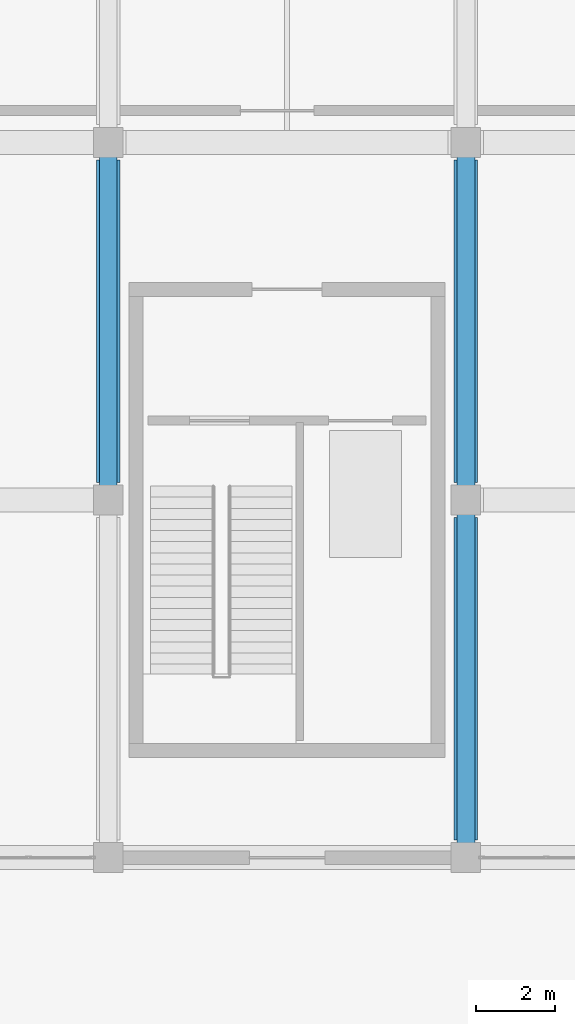
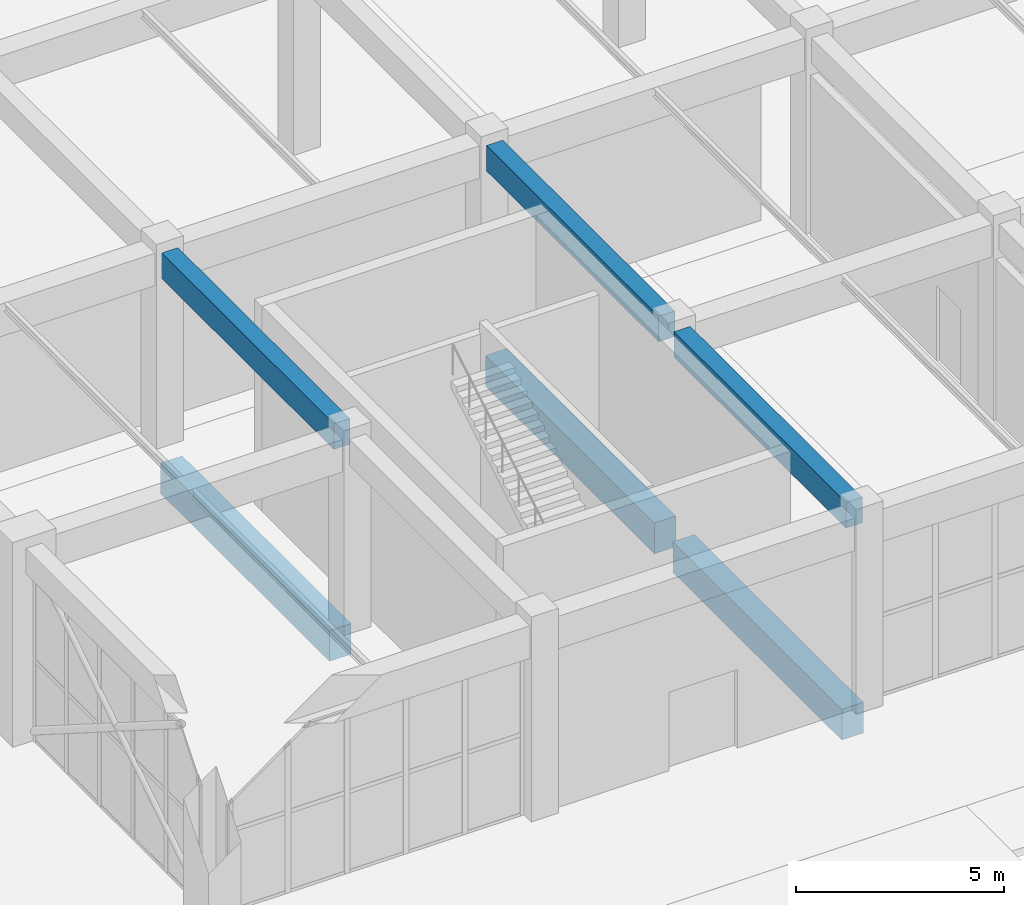
# One storey, part 34 of 91: 6 beams.
"""IFC4 building model written with IfcOpenShell, lengths in metres."""

import ifcopenshell
import ifcopenshell.guid

model = None  # the IFC model being written
_history = None  # IfcOwnerHistory: only IFC2X3 demands one
_inside = {}  # id of a spatial element -> (the spatial element, [elements in it])
_under = {}  # id of a project, library or spatial element -> (it, [spatial elements below it])
_declared = {}  # id of a project -> (the project, [libraries it declares])
_typed = {}  # id of a type object -> (the type object, [elements of that type])
_made_of = {}  # id of a material, layer set ... -> (it, [elements and type objects made of it])


def new_model(schema):
    """Start an empty IFC model of exactly this schema.

    Asked for "IFC4X3", IfcOpenShell would pick the latest addendum, in which some entities
    have other attributes; the version numbers below select the first issue.
    IFC2X3 requires an IfcOwnerHistory on every rooted entity: one is made here for all.
    """
    global model, _history
    if schema == "IFC4X3":
        model = ifcopenshell.file(schema_version=(4, 3, 0, 0))
    else:
        model = ifcopenshell.file(schema=schema)
    _inside.clear()
    _under.clear()
    _declared.clear()
    _typed.clear()
    _made_of.clear()
    _history = None
    if model.schema == "IFC2X3":
        org = make("IfcOrganization", Name="unknown")
        user = make(
            "IfcPersonAndOrganization",
            ThePerson=make("IfcPerson", FamilyName="unknown"),
            TheOrganization=org,
        )
        app = make(
            "IfcApplication",
            ApplicationDeveloper=org,
            Version="unknown",
            ApplicationFullName="unknown",
            ApplicationIdentifier="unknown",
        )
        _history = make(
            "IfcOwnerHistory",
            OwningUser=user,
            OwningApplication=app,
            ChangeAction="ADDED",
            CreationDate=0,
        )
    return model


def make(cls, **values):
    """One entity of the class cls with the attributes given. An attribute that is None is left unset."""
    return model.create_entity(
        cls, **{name: value for name, value in values.items() if value is not None}
    )


def rooted(cls, **values):
    """An entity with a GlobalId (a new one), such as an element, a storey or a relation."""
    return make(cls, GlobalId=ifcopenshell.guid.new(), OwnerHistory=_history, **values)


def si_unit(unit_type, name, prefix=None):
    """IfcSIUnit, for example si_unit("LENGTHUNIT", "METRE", prefix="MILLI")."""
    return make("IfcSIUnit", UnitType=unit_type, Prefix=prefix, Name=name)


def assignment(units):
    """IfcUnitAssignment: the units of a project."""
    return None if units is None else make("IfcUnitAssignment", Units=units)


def point(xyz):
    """IfcCartesianPoint."""
    return None if xyz is None else make("IfcCartesianPoint", Coordinates=xyz)


def direction(xyz):
    """IfcDirection."""
    return None if xyz is None else make("IfcDirection", DirectionRatios=xyz)


def frame(location, z_axis=None, x_axis=None):
    """IfcAxis2Placement3D, a coordinate frame: its origin and axes. An axis left out is left unset."""
    return make(
        "IfcAxis2Placement3D",
        Location=point(location),
        Axis=direction(z_axis),
        RefDirection=direction(x_axis),
    )


def frame_2d(location, x_axis=None):
    """IfcAxis2Placement2D, a coordinate frame in the plane: its origin and x axis."""
    return make(
        "IfcAxis2Placement2D", Location=point(location), RefDirection=direction(x_axis)
    )


def origin():
    """The frame at (0, 0, 0) with its axes left unset."""
    return frame((0.0, 0.0, 0.0))


def origin_2d():
    """The frame at (0, 0) in the plane with its x axis left unset."""
    return frame_2d((0.0, 0.0))


def place(relative_to, where):
    """IfcLocalPlacement: puts the frame where relative to a parent placement (None: the world)."""
    return make(
        "IfcLocalPlacement", PlacementRelTo=relative_to, RelativePlacement=where
    )


def context(
    kind, dimensions, precision=None, world=None, true_north=None, identifier=None
):
    """IfcGeometricRepresentationContext, for example the 3D "Model" context."""
    return make(
        "IfcGeometricRepresentationContext",
        ContextIdentifier=identifier,
        ContextType=kind,
        CoordinateSpaceDimension=dimensions,
        Precision=precision,
        WorldCoordinateSystem=world,
        TrueNorth=true_north,
    )


def subcontext(parent, identifier, kind, view, scale=None):
    """IfcGeometricRepresentationSubContext, for example "Body" below "Model"."""
    return make(
        "IfcGeometricRepresentationSubContext",
        ContextIdentifier=identifier,
        ContextType=kind,
        ParentContext=parent,
        TargetScale=scale,
        TargetView=view,
    )


def project(units=None, contexts=None):
    """IfcProject with its units and contexts."""
    return rooted(
        "IfcProject",
        Name="project",
        RepresentationContexts=contexts,
        UnitsInContext=assignment(units),
    )


def spatial(cls, under=None, at=None, **own):
    """A site, building, storey or space (cls), placed at a placement, below another one or the project."""
    s = rooted(cls, ObjectPlacement=at, **own)
    if under is not None:
        _under.setdefault(under.id(), (under, []))[1].append(s)
    return s


def profile(cls, at=None, kind="AREA", **sizes):
    """A parametric profile (cls). Its sizes go by their IFC names, for example OverallWidth=200.0."""
    return make(cls, ProfileType=kind, Position=at, **sizes)


def rectangle(**sizes):
    """IfcRectangleProfileDef."""
    return profile("IfcRectangleProfileDef", **sizes)


def extrude(swept, where, along, depth):
    """IfcExtrudedAreaSolid: the profile swept, set in the frame where, extruded along a direction by depth."""
    return make(
        "IfcExtrudedAreaSolid",
        SweptArea=swept,
        Position=where,
        ExtrudedDirection=direction(along),
        Depth=depth,
    )


def shape(context_of_items, identifier, shape_type, items):
    """IfcShapeRepresentation: the items that make up one representation, for example the "Body"."""
    return make(
        "IfcShapeRepresentation",
        ContextOfItems=context_of_items,
        RepresentationIdentifier=identifier,
        RepresentationType=shape_type,
        Items=items,
    )


def material(Name=None, Category=None):
    """IfcMaterial."""
    return make("IfcMaterial", Name=Name, Category=Category)


def material_profile(
    of_material, cross_section, Name=None, Category=None, Priority=None
):
    """IfcMaterialProfile: a cross section and its material."""
    return make(
        "IfcMaterialProfile",
        Name=Name,
        Material=of_material,
        Profile=cross_section,
        Priority=Priority,
        Category=Category,
    )


def profile_set(profiles, Name=None, composite=None):
    """IfcMaterialProfileSet."""
    return make(
        "IfcMaterialProfileSet",
        Name=Name,
        MaterialProfiles=profiles,
        CompositeProfile=composite,
    )


def made_of(thing, what):
    """Note that an element or type object is made of a material, layer set ...; save() writes the relation."""
    if what is not None:
        _made_of.setdefault(what.id(), (what, []))[1].append(thing)
    return thing


def type_object(cls, material=None, **own):
    """A type object (cls), such as IfcWallType, which elements share."""
    return made_of(rooted(cls, **own), material)


def element(
    cls,
    number,
    at=None,
    inside=None,
    cuts=None,
    type_object=None,
    material=None,
    context=None,
    identifier="Body",
    shape_type=None,
    held_by="IfcProductDefinitionShape",
    body=None,
    shapes=None,
    **own,
):
    """One element of the class cls, such as IfcWall. Its Tag is "e" and its number.

    at: its placement. inside: the storey or other place that contains it. cuts: it is an
    opening in that element (IfcRelVoidsElement). A single representation is given by context,
    identifier, shape_type and body (its items); several are given by shapes. held_by: the class
    of the entity that holds the representations. save() writes the other relations.
    """
    e = rooted(cls, Tag="e%d" % number, ObjectPlacement=at, **own)
    if body is not None:
        shapes = [shape(context, identifier, shape_type, body)]
    if shapes is not None:
        e.Representation = make(held_by, Representations=shapes)
    if inside is not None:
        _inside.setdefault(inside.id(), (inside, []))[1].append(e)
    if cuts is not None:
        rooted(
            "IfcRelVoidsElement", RelatingBuildingElement=cuts, RelatedOpeningElement=e
        )
    if type_object is not None:
        _typed.setdefault(type_object.id(), (type_object, []))[1].append(e)
    return made_of(e, material)


def aggregate(whole, parts):
    """IfcRelAggregates: a whole, such as a stair, and the parts it consists of."""
    return rooted("IfcRelAggregates", RelatingObject=whole, RelatedObjects=parts)


def save(model, path):
    """Write the relations noted so far, then the file.

    IfcRelAggregates (storeys below a building ...), IfcRelContainedInSpatialStructure (elements
    in a storey), IfcRelDefinesByType, IfcRelAssociatesMaterial and IfcRelDeclares: one each for
    every whole, place, type object, material and project.
    """
    for whole, parts in _under.values():
        aggregate(whole, parts)
    for where, things in _inside.values():
        rooted(
            "IfcRelContainedInSpatialStructure",
            RelatedElements=things,
            RelatingStructure=where,
        )
    for kind, things in _typed.values():
        rooted("IfcRelDefinesByType", RelatedObjects=things, RelatingType=kind)
    for what, things in _made_of.values():
        rooted("IfcRelAssociatesMaterial", RelatedObjects=things, RelatingMaterial=what)
    for by, libraries in _declared.values():
        rooted("IfcRelDeclares", RelatingContext=by, RelatedDefinitions=libraries)
    model.write(path)


model = new_model("IFC4")

# Units and contexts
model_context = context("Model", 3, precision=1e-05, world=origin(), true_north=direction((0.0, 1.0)))
body_context = subcontext(model_context, "Body", "Model", "MODEL_VIEW")
ifc_project = project(units=[si_unit("LENGTHUNIT", "METRE"), si_unit("AREAUNIT", "SQUARE_METRE"), si_unit("VOLUMEUNIT", "CUBIC_METRE"), si_unit("PLANEANGLEUNIT", "RADIAN"), si_unit("MASSUNIT", "GRAM", prefix="KILO")], contexts=[model_context])

# Site, building, storey
site_placement = place(None, origin())
site = spatial("IfcSite", under=ifc_project, at=site_placement, CompositionType="ELEMENT")
building_placement = place(site_placement, origin())
building = spatial("IfcBuilding", under=site, at=building_placement, Name="Dornveld Trade and Exhibition Forum", CompositionType="ELEMENT")
storey_placement = place(building_placement, origin())
storey = spatial("IfcBuildingStorey", under=building, at=storey_placement, Name="L00", CompositionType="ELEMENT", Elevation=0.0)

# Beams
ifc_material_1 = material(Name="Concrete C40/50", Category="concrete")
ifc_material_profile_1 = material_profile(ifc_material_1, rectangle(XDim=0.60009765625, YDim=0.89990234375, at=origin_2d()), Name="RC-GB 600x900")
ifc_profile_set_1 = profile_set([ifc_material_profile_1], Name="Concrete C40/50")
beam_type_1 = type_object("IfcBeamType", Name="BM-GB-600x900", PredefinedType="BEAM", material=ifc_profile_set_1)
for number, where, z_axis, x_axis, name in (
    (1, (180.0, 117.446044921875, -0.830078125), (0.0, 1.0, 0.0), (-1.0, 0.0, 0.0), "L00 Y-girder 548"),
    (2, (189.0, 108.446044921875, -0.830078125), (0.0, 1.0, 0.0), (-1.0, 0.0, 0.0), "L00 Y-girder 551"),
    (3, (189.0, 117.446044921875, -0.830078125), (0.0, 1.0, 0.0), (-1.0, 0.0, 0.0), "L00 Y-girder 552"),
):
    element("IfcBeam", number, at=place(storey_placement, frame(where, z_axis=z_axis, x_axis=x_axis)), inside=storey, type_object=beam_type_1, Name=name, PredefinedType="BEAM", context=body_context, shape_type="SweptSolid", body=[
        extrude(rectangle(XDim=0.60009765625, YDim=0.89990234375, at=origin_2d()), origin(), (0.0, 0.0, 1.0), 8.10791015625),
    ])
ifc_material_2 = material(Name="Precast concrete C50/60", Category="concrete")
ifc_material_profile_2 = material_profile(ifc_material_2, rectangle(XDim=0.449951171875, YDim=0.75, at=origin_2d()), Name="PC-BM 450x750")
ifc_profile_set_2 = profile_set([ifc_material_profile_2], Name="Precast concrete C50/60")
beam_type_2 = type_object("IfcBeamType", Name="BM-PC-450x750", PredefinedType="BEAM", material=ifc_profile_set_2)
for number, where, z_axis, x_axis, name in (
    (4, (180.0, 117.37109375, 5.324951171875), (0.0, 1.0, 0.0), (-1.0, 0.0, 0.0), "L00 Y-girder 984"),
    (5, (189.0, 108.37109375, 5.324951171875), (0.0, 1.0, 0.0), (-1.0, 0.0, 0.0), "L00 Y-girder 987"),
    (6, (189.0, 117.37109375, 5.324951171875), (0.0, 1.0, 0.0), (-1.0, 0.0, 0.0), "L00 Y-girder 988"),
):
    element("IfcBeam", number, at=place(storey_placement, frame(where, z_axis=z_axis, x_axis=x_axis)), inside=storey, type_object=beam_type_2, Name=name, PredefinedType="BEAM", context=body_context, shape_type="SweptSolid", body=[
        extrude(rectangle(XDim=0.449951171875, YDim=0.75, at=origin_2d()), origin(), (0.0, 0.0, 1.0), 8.2578125),
    ])

save(model, "model.ifc")
